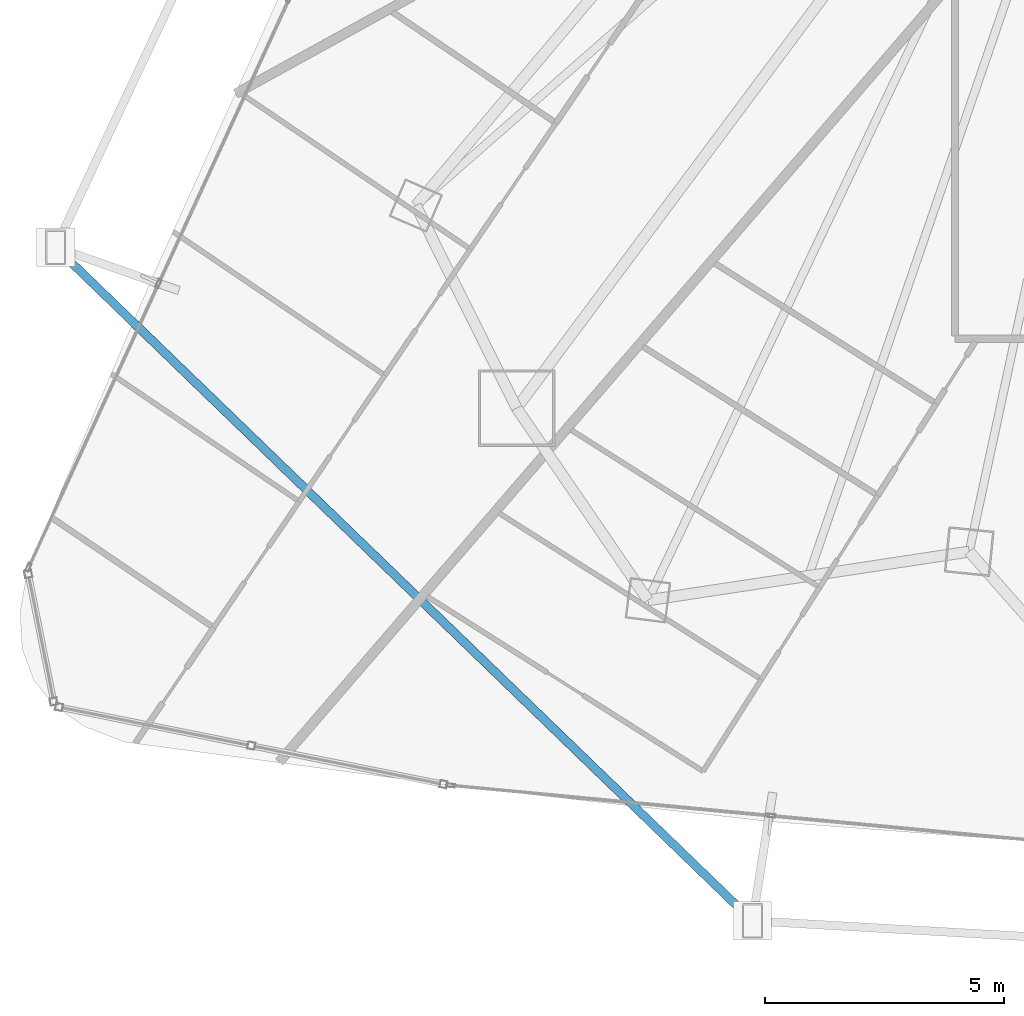
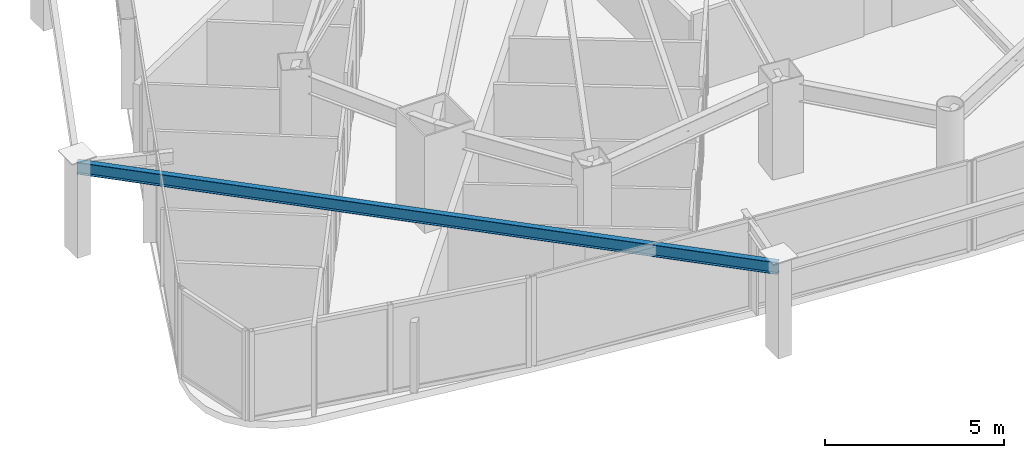
# One storey, part 3 of 35: 1 beam.
"""IFC4 building model written with IfcOpenShell, lengths in metres."""

from ifc_helpers import new_model, si_unit, direction, frame, origin, origin_2d, place, context, subcontext, project, spatial, i_section, extrude, material, material_profile, profile_set, type_object, element, save


model = new_model("IFC4")

# Units and contexts
model_context = context("Model", 3, precision=1e-05, world=origin(), true_north=direction((0.0, 1.0)))
body_context = subcontext(model_context, "Body", "Model", "MODEL_VIEW")
ifc_project = project(units=[si_unit("LENGTHUNIT", "METRE"), si_unit("AREAUNIT", "SQUARE_METRE"), si_unit("VOLUMEUNIT", "CUBIC_METRE"), si_unit("PLANEANGLEUNIT", "RADIAN"), si_unit("MASSUNIT", "GRAM", prefix="KILO")], contexts=[model_context])

# Site, building, storey
site_placement = place(None, origin())
site = spatial("IfcSite", under=ifc_project, at=site_placement, CompositionType="ELEMENT")
building_placement = place(site_placement, origin())
building = spatial("IfcBuilding", under=site, at=building_placement, Name="Orvanel Arch Residences", CompositionType="ELEMENT")
storey_placement = place(building_placement, frame((0.0, 0.0, 30.199951171875)))
storey = spatial("IfcBuildingStorey", under=building, at=storey_placement, Name="L07", CompositionType="ELEMENT", Elevation=30.199951171875)

# Beam
ifc_material = material(Name="Structural steel AS/NZS 3679.1 Grade 300 (300 MPa)", Category="steel")
ifc_material_profile = material_profile(ifc_material, i_section(OverallWidth=0.177978515625, OverallDepth=0.406005859375, WebThickness=0.0078125, FlangeThickness=0.0126953125, at=origin_2d()), Name="410UB59.7")
ifc_profile_set = profile_set([ifc_material_profile], Name="Structural steel AS/NZS 3679.1 Grade 300 (300 MPa)")
beam_type = type_object("IfcBeamType", Name="OB-410UB-EXT", PredefinedType="SPANDREL", material=ifc_profile_set)
beam_placement = place(storey_placement, frame((4.572998046875, 13.7080078125, 2.85693359375), z_axis=(0.719061717899, -0.694946217956, 0.0), x_axis=(0.694946217956, 0.719061717899, 0.0)))
element("IfcBeam", 1, at=beam_placement, inside=storey, type_object=beam_type, Name="L07 Outer Perimeter Floor Ring Beam 04", PredefinedType="SPANDREL", context=body_context, shape_type="SweptSolid", body=[
    extrude(i_section(OverallWidth=0.177978515625, OverallDepth=0.406005859375, WebThickness=0.0078125, FlangeThickness=0.0126953125, at=origin_2d()), origin(), (0.0, 0.0, 1.0), 20.237548828125),
])

save(model, "model.ifc")
